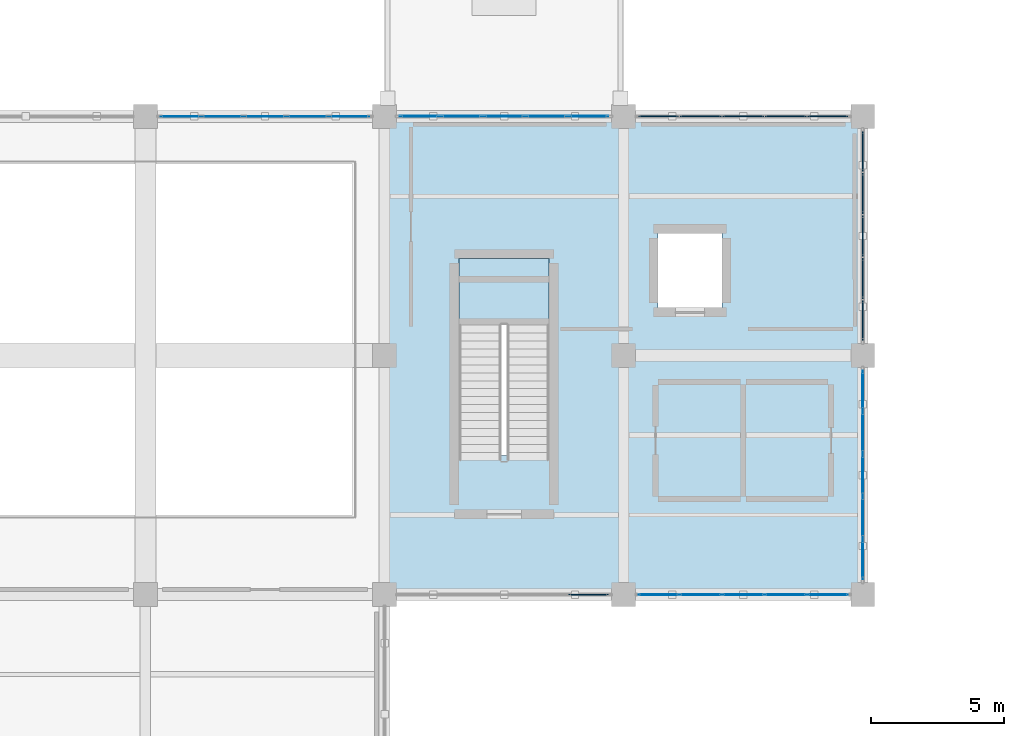
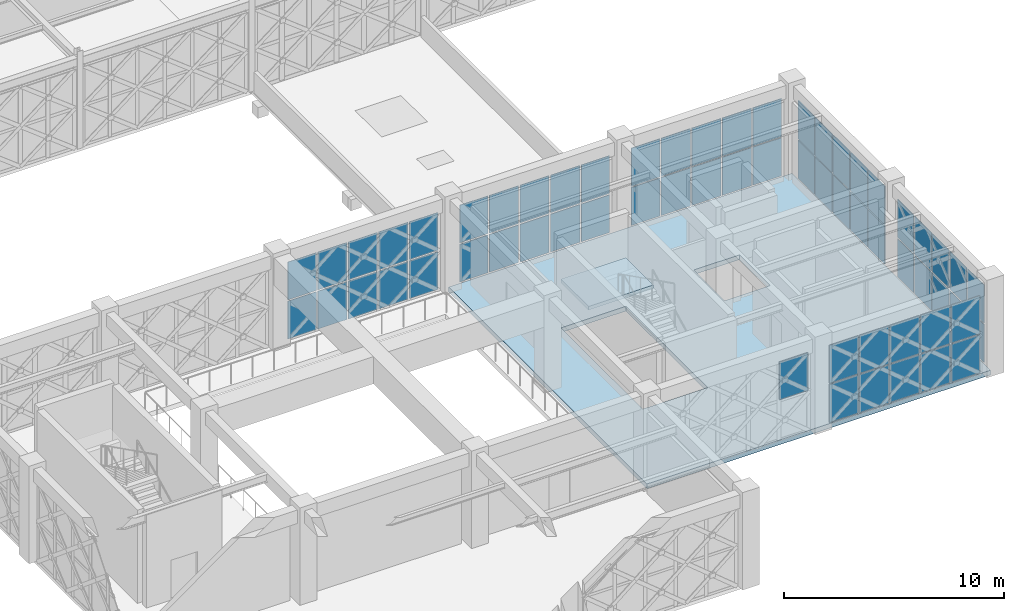
# One storey, part 128 of 155: 61 plates, 2 slabs, 8 elements without a shape of their own.
"""IFC4 building model written with IfcOpenShell, lengths in metres."""

from ifc_helpers import new_model, si_unit, direction, frame, origin, origin_2d, place, context, subcontext, project, spatial, polyline, rectangle, outline, extrude, material, layer, layer_set, type_object, element, aggregate, save


model = new_model("IFC4")

# Units and contexts
model_context = context("Model", 3, precision=1e-05, world=origin(), true_north=direction((0.0, 1.0)))
body_context = subcontext(model_context, "Body", "Model", "MODEL_VIEW")
ifc_project = project(units=[si_unit("LENGTHUNIT", "METRE"), si_unit("AREAUNIT", "SQUARE_METRE"), si_unit("VOLUMEUNIT", "CUBIC_METRE"), si_unit("PLANEANGLEUNIT", "RADIAN"), si_unit("MASSUNIT", "GRAM", prefix="KILO")], contexts=[model_context])

# Site, building, storey
site_placement = place(None, origin())
site = spatial("IfcSite", under=ifc_project, at=site_placement, CompositionType="ELEMENT")
building_placement = place(site_placement, origin())
building = spatial("IfcBuilding", under=site, at=building_placement, Name="Haizhuo Lancet Aquarium", CompositionType="ELEMENT")
storey_placement = place(building_placement, frame((0.0, 0.0, 10.800048828125)))
storey = spatial("IfcBuildingStorey", under=building, at=storey_placement, Name="L02", CompositionType="ELEMENT", Elevation=10.800048828125)

# Curtain wall, plates
ifc_material_1 = material(Name="Aluminium 6063-T6", Category="aluminium")
curtain_wall_type_1 = type_object("IfcCurtainWallType", Name="CWO-8010x4410", PredefinedType="NOTDEFINED", material=ifc_material_1)
curtain_wall_1_placement = place(storey_placement, origin())
curtain_wall_1 = element("IfcCurtainWall", 1, at=curtain_wall_1_placement, inside=storey, type_object=curtain_wall_type_1, Name="L02 curtain wall CW-V3-L02-053", PredefinedType="NOTDEFINED")
ifc_material_2 = material(Name="Laminated Low-E Glass", Category="glass")
ifc_layer_1 = layer(ifc_material_2, 0.028076171875)
ifc_layer_set_1 = layer_set([ifc_layer_1], Name="Laminated Low-E Glass")
plate_type_1 = type_object("IfcPlateType", Name="CW-PNL-1", PredefinedType="CURTAIN_PANEL", material=ifc_layer_set_1)
plate_1_placement = place(storey_placement, frame((46.31494140625, -9.0, 0.07421875), z_axis=(0.0, 0.0, 1.0), x_axis=(1.0, 0.0, 0.0)))
plate_1 = element("IfcPlate", 2, at=plate_1_placement, type_object=plate_type_1, Name="CWO-80x44 panel 1.1", PredefinedType="CURTAIN_PANEL", context=body_context, shape_type="SweptSolid", body=[
    extrude(rectangle(XDim=1.489990234375, YDim=0.028076171875, at=origin_2d()), origin(), (0.0, 0.0, 1.0), 2.093017578125),
])
plate_2_placement = place(storey_placement, frame((46.31494140625, -9.0, 2.24267578125), z_axis=(0.0, 0.0, 1.0), x_axis=(1.0, 0.0, 0.0)))
plate_2 = element("IfcPlate", 3, at=plate_2_placement, type_object=plate_type_1, Name="CWO-80x44 panel 1.2", PredefinedType="CURTAIN_PANEL", context=body_context, shape_type="SweptSolid", body=[
    extrude(rectangle(XDim=1.489990234375, YDim=0.028076171875, at=origin_2d()), origin(), (0.0, 0.0, 1.0), 2.093017578125),
])
plate_3_placement = place(storey_placement, frame((47.89794921875, -9.0, 0.07421875), z_axis=(0.0, 0.0, 1.0), x_axis=(1.0, 0.0, 0.0)))
plate_3 = element("IfcPlate", 4, at=plate_3_placement, type_object=plate_type_1, Name="CWO-80x44 panel 2.1", PredefinedType="CURTAIN_PANEL", context=body_context, shape_type="SweptSolid", body=[
    extrude(rectangle(XDim=1.527099609375, YDim=0.028076171875, at=origin_2d()), origin(), (0.0, 0.0, 1.0), 2.093017578125),
])
plate_4_placement = place(storey_placement, frame((47.89794921875, -9.0, 2.24267578125), z_axis=(0.0, 0.0, 1.0), x_axis=(1.0, 0.0, 0.0)))
plate_4 = element("IfcPlate", 5, at=plate_4_placement, type_object=plate_type_1, Name="CWO-80x44 panel 2.2", PredefinedType="CURTAIN_PANEL", context=body_context, shape_type="SweptSolid", body=[
    extrude(rectangle(XDim=1.527099609375, YDim=0.028076171875, at=origin_2d()), origin(), (0.0, 0.0, 1.0), 2.093017578125),
])
plate_5_placement = place(storey_placement, frame((49.5, -9.0, 0.07421875), z_axis=(0.0, 0.0, 1.0), x_axis=(1.0, 0.0, 0.0)))
plate_5 = element("IfcPlate", 6, at=plate_5_placement, type_object=plate_type_1, Name="CWO-80x44 panel 3.1", PredefinedType="CURTAIN_PANEL", context=body_context, shape_type="SweptSolid", body=[
    extrude(rectangle(XDim=1.527099609375, YDim=0.028076171875, at=origin_2d()), origin(), (0.0, 0.0, 1.0), 2.093017578125),
])
plate_6_placement = place(storey_placement, frame((49.5, -9.0, 2.24267578125), z_axis=(0.0, 0.0, 1.0), x_axis=(1.0, 0.0, 0.0)))
plate_6 = element("IfcPlate", 7, at=plate_6_placement, type_object=plate_type_1, Name="CWO-80x44 panel 3.2", PredefinedType="CURTAIN_PANEL", context=body_context, shape_type="SweptSolid", body=[
    extrude(rectangle(XDim=1.527099609375, YDim=0.028076171875, at=origin_2d()), origin(), (0.0, 0.0, 1.0), 2.093017578125),
])
plate_7_placement = place(storey_placement, frame((51.10205078125, -9.0, 0.07421875), z_axis=(0.0, 0.0, 1.0), x_axis=(1.0, 0.0, 0.0)))
plate_7 = element("IfcPlate", 8, at=plate_7_placement, type_object=plate_type_1, Name="CWO-80x44 panel 4.1", PredefinedType="CURTAIN_PANEL", context=body_context, shape_type="SweptSolid", body=[
    extrude(rectangle(XDim=1.527099609375, YDim=0.028076171875, at=origin_2d()), origin(), (0.0, 0.0, 1.0), 2.093017578125),
])
plate_8_placement = place(storey_placement, frame((51.10205078125, -9.0, 2.24267578125), z_axis=(0.0, 0.0, 1.0), x_axis=(1.0, 0.0, 0.0)))
plate_8 = element("IfcPlate", 9, at=plate_8_placement, type_object=plate_type_1, Name="CWO-80x44 panel 4.2", PredefinedType="CURTAIN_PANEL", context=body_context, shape_type="SweptSolid", body=[
    extrude(rectangle(XDim=1.527099609375, YDim=0.028076171875, at=origin_2d()), origin(), (0.0, 0.0, 1.0), 2.093017578125),
])
plate_9_placement = place(storey_placement, frame((52.68505859375, -9.0, 0.07421875), z_axis=(0.0, 0.0, 1.0), x_axis=(1.0, 0.0, 0.0)))
plate_9 = element("IfcPlate", 10, at=plate_9_placement, type_object=plate_type_1, Name="CWO-80x44 panel 5.1", PredefinedType="CURTAIN_PANEL", context=body_context, shape_type="SweptSolid", body=[
    extrude(rectangle(XDim=1.489990234375, YDim=0.028076171875, at=origin_2d()), origin(), (0.0, 0.0, 1.0), 2.093017578125),
])
plate_10_placement = place(storey_placement, frame((52.68505859375, -9.0, 2.24267578125), z_axis=(0.0, 0.0, 1.0), x_axis=(1.0, 0.0, 0.0)))
plate_10 = element("IfcPlate", 11, at=plate_10_placement, type_object=plate_type_1, Name="CWO-80x44 panel 5.2", PredefinedType="CURTAIN_PANEL", context=body_context, shape_type="SweptSolid", body=[
    extrude(rectangle(XDim=1.489990234375, YDim=0.028076171875, at=origin_2d()), origin(), (0.0, 0.0, 1.0), 2.093017578125),
])
aggregate(curtain_wall_1, [plate_1, plate_2, plate_3, plate_4, plate_5, plate_6, plate_7, plate_8, plate_9, plate_10])

curtain_wall_type_2 = type_object("IfcCurtainWallType", Name="CWO-8010x4460", PredefinedType="NOTDEFINED", material=ifc_material_1)
curtain_wall_2_placement = place(storey_placement, origin())
curtain_wall_2 = element("IfcCurtainWall", 12, at=curtain_wall_2_placement, inside=storey, type_object=curtain_wall_type_2, Name="L02 curtain wall CW-V3-L02-057", PredefinedType="NOTDEFINED")
plate_11_placement = place(storey_placement, frame((72.0, -19.31591796875, 0.080078125), z_axis=(0.0, 0.0, 1.0), x_axis=(0.0, -1.0, 0.0)))
plate_11 = element("IfcPlate", 13, at=plate_11_placement, type_object=plate_type_1, Name="CWO-80x44 panel 1.1", PredefinedType="CURTAIN_PANEL", context=body_context, shape_type="SweptSolid", body=[
    extrude(rectangle(XDim=1.48193359375, YDim=0.028076171875, at=origin_2d()), origin(), (0.0, 0.0, 1.0), 2.110107421875),
])
plate_12_placement = place(storey_placement, frame((72.0, -19.31591796875, 2.27001953125), z_axis=(0.0, 0.0, 1.0), x_axis=(0.0, -1.0, 0.0)))
plate_12 = element("IfcPlate", 14, at=plate_12_placement, type_object=plate_type_1, Name="CWO-80x44 panel 1.2", PredefinedType="CURTAIN_PANEL", context=body_context, shape_type="SweptSolid", body=[
    extrude(rectangle(XDim=1.48193359375, YDim=0.028076171875, at=origin_2d()), origin(), (0.0, 0.0, 1.0), 2.110107421875),
])
plate_13_placement = place(storey_placement, frame((72.0, -20.89794921875, 0.080078125), z_axis=(0.0, 0.0, 1.0), x_axis=(0.0, -1.0, 0.0)))
plate_13 = element("IfcPlate", 15, at=plate_13_placement, type_object=plate_type_1, Name="CWO-80x44 panel 2.1", PredefinedType="CURTAIN_PANEL", context=body_context, shape_type="SweptSolid", body=[
    extrude(rectangle(XDim=1.52197265625, YDim=0.028076171875, at=origin_2d()), origin(), (0.0, 0.0, 1.0), 2.110107421875),
])
plate_14_placement = place(storey_placement, frame((72.0, -20.89794921875, 2.27001953125), z_axis=(0.0, 0.0, 1.0), x_axis=(0.0, -1.0, 0.0)))
plate_14 = element("IfcPlate", 16, at=plate_14_placement, type_object=plate_type_1, Name="CWO-80x44 panel 2.2", PredefinedType="CURTAIN_PANEL", context=body_context, shape_type="SweptSolid", body=[
    extrude(rectangle(XDim=1.52197265625, YDim=0.028076171875, at=origin_2d()), origin(), (0.0, 0.0, 1.0), 2.110107421875),
])
plate_15_placement = place(storey_placement, frame((72.0, -22.5, 0.080078125), z_axis=(0.0, 0.0, 1.0), x_axis=(0.0, -1.0, 0.0)))
plate_15 = element("IfcPlate", 17, at=plate_15_placement, type_object=plate_type_1, Name="CWO-80x44 panel 3.1", PredefinedType="CURTAIN_PANEL", context=body_context, shape_type="SweptSolid", body=[
    extrude(rectangle(XDim=1.52197265625, YDim=0.028076171875, at=origin_2d()), origin(), (0.0, 0.0, 1.0), 2.110107421875),
])
plate_16_placement = place(storey_placement, frame((72.0, -22.5, 2.27001953125), z_axis=(0.0, 0.0, 1.0), x_axis=(0.0, -1.0, 0.0)))
plate_16 = element("IfcPlate", 18, at=plate_16_placement, type_object=plate_type_1, Name="CWO-80x44 panel 3.2", PredefinedType="CURTAIN_PANEL", context=body_context, shape_type="SweptSolid", body=[
    extrude(rectangle(XDim=1.52197265625, YDim=0.028076171875, at=origin_2d()), origin(), (0.0, 0.0, 1.0), 2.110107421875),
])
plate_17_placement = place(storey_placement, frame((72.0, -24.10205078125, 0.080078125), z_axis=(0.0, 0.0, 1.0), x_axis=(0.0, -1.0, 0.0)))
plate_17 = element("IfcPlate", 19, at=plate_17_placement, type_object=plate_type_1, Name="CWO-80x44 panel 4.1", PredefinedType="CURTAIN_PANEL", context=body_context, shape_type="SweptSolid", body=[
    extrude(rectangle(XDim=1.52197265625, YDim=0.028076171875, at=origin_2d()), origin(), (0.0, 0.0, 1.0), 2.110107421875),
])
plate_18_placement = place(storey_placement, frame((72.0, -24.10205078125, 2.27001953125), z_axis=(0.0, 0.0, 1.0), x_axis=(0.0, -1.0, 0.0)))
plate_18 = element("IfcPlate", 20, at=plate_18_placement, type_object=plate_type_1, Name="CWO-80x44 panel 4.2", PredefinedType="CURTAIN_PANEL", context=body_context, shape_type="SweptSolid", body=[
    extrude(rectangle(XDim=1.52197265625, YDim=0.028076171875, at=origin_2d()), origin(), (0.0, 0.0, 1.0), 2.110107421875),
])
plate_19_placement = place(storey_placement, frame((72.0, -25.68408203125, 0.080078125), z_axis=(0.0, 0.0, 1.0), x_axis=(0.0, -1.0, 0.0)))
plate_19 = element("IfcPlate", 21, at=plate_19_placement, type_object=plate_type_1, Name="CWO-80x44 panel 5.1", PredefinedType="CURTAIN_PANEL", context=body_context, shape_type="SweptSolid", body=[
    extrude(rectangle(XDim=1.48193359375, YDim=0.028076171875, at=origin_2d()), origin(), (0.0, 0.0, 1.0), 2.110107421875),
])
plate_20_placement = place(storey_placement, frame((72.0, -25.68408203125, 2.27001953125), z_axis=(0.0, 0.0, 1.0), x_axis=(0.0, -1.0, 0.0)))
plate_20 = element("IfcPlate", 22, at=plate_20_placement, type_object=plate_type_1, Name="CWO-80x44 panel 5.2", PredefinedType="CURTAIN_PANEL", context=body_context, shape_type="SweptSolid", body=[
    extrude(rectangle(XDim=1.48193359375, YDim=0.028076171875, at=origin_2d()), origin(), (0.0, 0.0, 1.0), 2.110107421875),
])
aggregate(curtain_wall_2, [plate_11, plate_12, plate_13, plate_14, plate_15, plate_16, plate_17, plate_18, plate_19, plate_20])

curtain_wall_3_placement = place(storey_placement, origin())
curtain_wall_3 = element("IfcCurtainWall", 23, at=curtain_wall_3_placement, inside=storey, type_object=curtain_wall_type_1, Name="L02 curtain wall CW-V3-L02-054", PredefinedType="NOTDEFINED")
ifc_layer_2 = layer(ifc_material_2, 0.033935546875)
ifc_layer_set_2 = layer_set([ifc_layer_2], Name="Laminated Low-E Glass")
plate_type_2 = type_object("IfcPlateType", Name="CW-PNL-2", PredefinedType="CURTAIN_PANEL", material=ifc_layer_set_2)
plate_21_placement = place(storey_placement, frame((55.31591796875, -9.0, 0.07958984375), z_axis=(0.0, 0.0, 1.0), x_axis=(1.0, 0.0, 0.0)))
plate_21 = element("IfcPlate", 24, at=plate_21_placement, type_object=plate_type_2, Name="CWO-80x44 panel 1.1", PredefinedType="CURTAIN_PANEL", context=body_context, shape_type="SweptSolid", body=[
    extrude(rectangle(XDim=1.48193359375, YDim=0.033935546875, at=origin_2d()), origin(), (0.0, 0.0, 1.0), 2.0849609375),
])
plate_22_placement = place(storey_placement, frame((55.31591796875, -9.0, 2.245361328125), z_axis=(0.0, 0.0, 1.0), x_axis=(1.0, 0.0, 0.0)))
plate_22 = element("IfcPlate", 25, at=plate_22_placement, type_object=plate_type_2, Name="CWO-80x44 panel 1.2", PredefinedType="CURTAIN_PANEL", context=body_context, shape_type="SweptSolid", body=[
    extrude(rectangle(XDim=1.48193359375, YDim=0.033935546875, at=origin_2d()), origin(), (0.0, 0.0, 1.0), 2.0849609375),
])
plate_23_placement = place(storey_placement, frame((56.89794921875, -9.0, 0.07958984375), z_axis=(0.0, 0.0, 1.0), x_axis=(1.0, 0.0, 0.0)))
plate_23 = element("IfcPlate", 26, at=plate_23_placement, type_object=plate_type_2, Name="CWO-80x44 panel 2.1", PredefinedType="CURTAIN_PANEL", context=body_context, shape_type="SweptSolid", body=[
    extrude(rectangle(XDim=1.52197265625, YDim=0.033935546875, at=origin_2d()), origin(), (0.0, 0.0, 1.0), 2.0849609375),
])
plate_24_placement = place(storey_placement, frame((56.89794921875, -9.0, 2.245361328125), z_axis=(0.0, 0.0, 1.0), x_axis=(1.0, 0.0, 0.0)))
plate_24 = element("IfcPlate", 27, at=plate_24_placement, type_object=plate_type_2, Name="CWO-80x44 panel 2.2", PredefinedType="CURTAIN_PANEL", context=body_context, shape_type="SweptSolid", body=[
    extrude(rectangle(XDim=1.52197265625, YDim=0.033935546875, at=origin_2d()), origin(), (0.0, 0.0, 1.0), 2.0849609375),
])
plate_25_placement = place(storey_placement, frame((58.5, -9.0, 0.07958984375), z_axis=(0.0, 0.0, 1.0), x_axis=(1.0, 0.0, 0.0)))
plate_25 = element("IfcPlate", 28, at=plate_25_placement, type_object=plate_type_2, Name="CWO-80x44 panel 3.1", PredefinedType="CURTAIN_PANEL", context=body_context, shape_type="SweptSolid", body=[
    extrude(rectangle(XDim=1.52197265625, YDim=0.033935546875, at=origin_2d()), origin(), (0.0, 0.0, 1.0), 2.0849609375),
])
plate_26_placement = place(storey_placement, frame((58.5, -9.0, 2.245361328125), z_axis=(0.0, 0.0, 1.0), x_axis=(1.0, 0.0, 0.0)))
plate_26 = element("IfcPlate", 29, at=plate_26_placement, type_object=plate_type_2, Name="CWO-80x44 panel 3.2", PredefinedType="CURTAIN_PANEL", context=body_context, shape_type="SweptSolid", body=[
    extrude(rectangle(XDim=1.52197265625, YDim=0.033935546875, at=origin_2d()), origin(), (0.0, 0.0, 1.0), 2.0849609375),
])
plate_27_placement = place(storey_placement, frame((60.10205078125, -9.0, 0.07958984375), z_axis=(0.0, 0.0, 1.0), x_axis=(1.0, 0.0, 0.0)))
plate_27 = element("IfcPlate", 30, at=plate_27_placement, type_object=plate_type_2, Name="CWO-80x44 panel 4.1", PredefinedType="CURTAIN_PANEL", context=body_context, shape_type="SweptSolid", body=[
    extrude(rectangle(XDim=1.52197265625, YDim=0.033935546875, at=origin_2d()), origin(), (0.0, 0.0, 1.0), 2.0849609375),
])
plate_28_placement = place(storey_placement, frame((60.10205078125, -9.0, 2.245361328125), z_axis=(0.0, 0.0, 1.0), x_axis=(1.0, 0.0, 0.0)))
plate_28 = element("IfcPlate", 31, at=plate_28_placement, type_object=plate_type_2, Name="CWO-80x44 panel 4.2", PredefinedType="CURTAIN_PANEL", context=body_context, shape_type="SweptSolid", body=[
    extrude(rectangle(XDim=1.52197265625, YDim=0.033935546875, at=origin_2d()), origin(), (0.0, 0.0, 1.0), 2.0849609375),
])
plate_29_placement = place(storey_placement, frame((61.68408203125, -9.0, 0.07958984375), z_axis=(0.0, 0.0, 1.0), x_axis=(1.0, 0.0, 0.0)))
plate_29 = element("IfcPlate", 32, at=plate_29_placement, type_object=plate_type_2, Name="CWO-80x44 panel 5.1", PredefinedType="CURTAIN_PANEL", context=body_context, shape_type="SweptSolid", body=[
    extrude(rectangle(XDim=1.48193359375, YDim=0.033935546875, at=origin_2d()), origin(), (0.0, 0.0, 1.0), 2.0849609375),
])
plate_30_placement = place(storey_placement, frame((61.68408203125, -9.0, 2.245361328125), z_axis=(0.0, 0.0, 1.0), x_axis=(1.0, 0.0, 0.0)))
plate_30 = element("IfcPlate", 33, at=plate_30_placement, type_object=plate_type_2, Name="CWO-80x44 panel 5.2", PredefinedType="CURTAIN_PANEL", context=body_context, shape_type="SweptSolid", body=[
    extrude(rectangle(XDim=1.48193359375, YDim=0.033935546875, at=origin_2d()), origin(), (0.0, 0.0, 1.0), 2.0849609375),
])
aggregate(curtain_wall_3, [plate_21, plate_22, plate_23, plate_24, plate_25, plate_26, plate_27, plate_28, plate_29, plate_30])

curtain_wall_4_placement = place(storey_placement, origin())
curtain_wall_4 = element("IfcCurtainWall", 34, at=curtain_wall_4_placement, inside=storey, type_object=curtain_wall_type_1, Name="L02 curtain wall CW-V3-L02-058", PredefinedType="NOTDEFINED")
plate_31_placement = place(storey_placement, frame((70.68798828125, -27.0, 0.0654296875), z_axis=(0.0, 0.0, 1.0), x_axis=(-1.0, 0.0, 0.0)))
plate_31 = element("IfcPlate", 35, at=plate_31_placement, type_object=plate_type_2, Name="CWO-80x44 panel 1.1", PredefinedType="CURTAIN_PANEL", context=body_context, shape_type="SweptSolid", body=[
    extrude(rectangle(XDim=1.50390625, YDim=0.033935546875, at=origin_2d()), origin(), (0.0, 0.0, 1.0), 2.10693359375),
])
plate_32_placement = place(storey_placement, frame((70.68798828125, -27.0, 2.237548828125), z_axis=(0.0, 0.0, 1.0), x_axis=(-1.0, 0.0, 0.0)))
plate_32 = element("IfcPlate", 36, at=plate_32_placement, type_object=plate_type_2, Name="CWO-80x44 panel 1.2", PredefinedType="CURTAIN_PANEL", context=body_context, shape_type="SweptSolid", body=[
    extrude(rectangle(XDim=1.50390625, YDim=0.033935546875, at=origin_2d()), origin(), (0.0, 0.0, 1.0), 2.10693359375),
])
plate_33_placement = place(storey_placement, frame((69.10205078125, -27.0, 0.0654296875), z_axis=(0.0, 0.0, 1.0), x_axis=(-1.0, 0.0, 0.0)))
plate_33 = element("IfcPlate", 37, at=plate_33_placement, type_object=plate_type_2, Name="CWO-80x44 panel 2.1", PredefinedType="CURTAIN_PANEL", context=body_context, shape_type="SweptSolid", body=[
    extrude(rectangle(XDim=1.537109375, YDim=0.033935546875, at=origin_2d()), origin(), (0.0, 0.0, 1.0), 2.10693359375),
])
plate_34_placement = place(storey_placement, frame((69.10205078125, -27.0, 2.237548828125), z_axis=(0.0, 0.0, 1.0), x_axis=(-1.0, 0.0, 0.0)))
plate_34 = element("IfcPlate", 38, at=plate_34_placement, type_object=plate_type_2, Name="CWO-80x44 panel 2.2", PredefinedType="CURTAIN_PANEL", context=body_context, shape_type="SweptSolid", body=[
    extrude(rectangle(XDim=1.537109375, YDim=0.033935546875, at=origin_2d()), origin(), (0.0, 0.0, 1.0), 2.10693359375),
])
plate_35_placement = place(storey_placement, frame((67.5, -27.0, 0.0654296875), z_axis=(0.0, 0.0, 1.0), x_axis=(-1.0, 0.0, 0.0)))
plate_35 = element("IfcPlate", 39, at=plate_35_placement, type_object=plate_type_2, Name="CWO-80x44 panel 3.1", PredefinedType="CURTAIN_PANEL", context=body_context, shape_type="SweptSolid", body=[
    extrude(rectangle(XDim=1.537109375, YDim=0.033935546875, at=origin_2d()), origin(), (0.0, 0.0, 1.0), 2.10693359375),
])
plate_36_placement = place(storey_placement, frame((67.5, -27.0, 2.237548828125), z_axis=(0.0, 0.0, 1.0), x_axis=(-1.0, 0.0, 0.0)))
plate_36 = element("IfcPlate", 40, at=plate_36_placement, type_object=plate_type_2, Name="CWO-80x44 panel 3.2", PredefinedType="CURTAIN_PANEL", context=body_context, shape_type="SweptSolid", body=[
    extrude(rectangle(XDim=1.537109375, YDim=0.033935546875, at=origin_2d()), origin(), (0.0, 0.0, 1.0), 2.10693359375),
])
plate_37_placement = place(storey_placement, frame((65.89794921875, -27.0, 0.0654296875), z_axis=(0.0, 0.0, 1.0), x_axis=(-1.0, 0.0, 0.0)))
plate_37 = element("IfcPlate", 41, at=plate_37_placement, type_object=plate_type_2, Name="CWO-80x44 panel 4.1", PredefinedType="CURTAIN_PANEL", context=body_context, shape_type="SweptSolid", body=[
    extrude(rectangle(XDim=1.537109375, YDim=0.033935546875, at=origin_2d()), origin(), (0.0, 0.0, 1.0), 2.10693359375),
])
plate_38_placement = place(storey_placement, frame((65.89794921875, -27.0, 2.237548828125), z_axis=(0.0, 0.0, 1.0), x_axis=(-1.0, 0.0, 0.0)))
plate_38 = element("IfcPlate", 42, at=plate_38_placement, type_object=plate_type_2, Name="CWO-80x44 panel 4.2", PredefinedType="CURTAIN_PANEL", context=body_context, shape_type="SweptSolid", body=[
    extrude(rectangle(XDim=1.537109375, YDim=0.033935546875, at=origin_2d()), origin(), (0.0, 0.0, 1.0), 2.10693359375),
])
plate_39_placement = place(storey_placement, frame((64.31201171875, -27.0, 0.0654296875), z_axis=(0.0, 0.0, 1.0), x_axis=(-1.0, 0.0, 0.0)))
plate_39 = element("IfcPlate", 43, at=plate_39_placement, type_object=plate_type_2, Name="CWO-80x44 panel 5.1", PredefinedType="CURTAIN_PANEL", context=body_context, shape_type="SweptSolid", body=[
    extrude(rectangle(XDim=1.5048828125, YDim=0.033935546875, at=origin_2d()), origin(), (0.0, 0.0, 1.0), 2.10693359375),
])
plate_40_placement = place(storey_placement, frame((64.31201171875, -27.0, 2.237548828125), z_axis=(0.0, 0.0, 1.0), x_axis=(-1.0, 0.0, 0.0)))
plate_40 = element("IfcPlate", 44, at=plate_40_placement, type_object=plate_type_2, Name="CWO-80x44 panel 5.2", PredefinedType="CURTAIN_PANEL", context=body_context, shape_type="SweptSolid", body=[
    extrude(rectangle(XDim=1.5048828125, YDim=0.033935546875, at=origin_2d()), origin(), (0.0, 0.0, 1.0), 2.10693359375),
])
aggregate(curtain_wall_4, [plate_31, plate_32, plate_33, plate_34, plate_35, plate_36, plate_37, plate_38, plate_39, plate_40])

curtain_wall_5_placement = place(storey_placement, origin())
curtain_wall_5 = element("IfcCurtainWall", 45, at=curtain_wall_5_placement, inside=storey, type_object=curtain_wall_type_1, Name="L02 curtain wall CW-V3-L02-055", PredefinedType="NOTDEFINED")
ifc_layer_3 = layer(ifc_material_2, 0.0419921875)
ifc_layer_set_3 = layer_set([ifc_layer_3], Name="Laminated Low-E Glass")
plate_type_3 = type_object("IfcPlateType", Name="CW-PNL-3", PredefinedType="CURTAIN_PANEL", material=ifc_layer_set_3)
plate_41_placement = place(storey_placement, frame((64.31201171875, -9.0, 0.0654296875), z_axis=(0.0, 0.0, 1.0), x_axis=(1.0, 0.0, 0.0)))
plate_41 = element("IfcPlate", 46, at=plate_41_placement, type_object=plate_type_3, Name="CWO-80x44 panel 1.1", PredefinedType="CURTAIN_PANEL", context=body_context, shape_type="SweptSolid", body=[
    extrude(rectangle(XDim=1.50390625, YDim=0.0419921875, at=origin_2d()), origin(), (0.0, 0.0, 1.0), 2.10693359375),
])
plate_42_placement = place(storey_placement, frame((64.31201171875, -9.0, 2.237548828125), z_axis=(0.0, 0.0, 1.0), x_axis=(1.0, 0.0, 0.0)))
plate_42 = element("IfcPlate", 47, at=plate_42_placement, type_object=plate_type_3, Name="CWO-80x44 panel 1.2", PredefinedType="CURTAIN_PANEL", context=body_context, shape_type="SweptSolid", body=[
    extrude(rectangle(XDim=1.50390625, YDim=0.0419921875, at=origin_2d()), origin(), (0.0, 0.0, 1.0), 2.10693359375),
])
plate_43_placement = place(storey_placement, frame((65.89794921875, -9.0, 0.0654296875), z_axis=(0.0, 0.0, 1.0), x_axis=(1.0, 0.0, 0.0)))
plate_43 = element("IfcPlate", 48, at=plate_43_placement, type_object=plate_type_3, Name="CWO-80x44 panel 2.1", PredefinedType="CURTAIN_PANEL", context=body_context, shape_type="SweptSolid", body=[
    extrude(rectangle(XDim=1.537109375, YDim=0.0419921875, at=origin_2d()), origin(), (0.0, 0.0, 1.0), 2.10693359375),
])
plate_44_placement = place(storey_placement, frame((65.89794921875, -9.0, 2.237548828125), z_axis=(0.0, 0.0, 1.0), x_axis=(1.0, 0.0, 0.0)))
plate_44 = element("IfcPlate", 49, at=plate_44_placement, type_object=plate_type_3, Name="CWO-80x44 panel 2.2", PredefinedType="CURTAIN_PANEL", context=body_context, shape_type="SweptSolid", body=[
    extrude(rectangle(XDim=1.537109375, YDim=0.0419921875, at=origin_2d()), origin(), (0.0, 0.0, 1.0), 2.10693359375),
])
plate_45_placement = place(storey_placement, frame((67.5, -9.0, 0.0654296875), z_axis=(0.0, 0.0, 1.0), x_axis=(1.0, 0.0, 0.0)))
plate_45 = element("IfcPlate", 50, at=plate_45_placement, type_object=plate_type_3, Name="CWO-80x44 panel 3.1", PredefinedType="CURTAIN_PANEL", context=body_context, shape_type="SweptSolid", body=[
    extrude(rectangle(XDim=1.537109375, YDim=0.0419921875, at=origin_2d()), origin(), (0.0, 0.0, 1.0), 2.10693359375),
])
plate_46_placement = place(storey_placement, frame((67.5, -9.0, 2.237548828125), z_axis=(0.0, 0.0, 1.0), x_axis=(1.0, 0.0, 0.0)))
plate_46 = element("IfcPlate", 51, at=plate_46_placement, type_object=plate_type_3, Name="CWO-80x44 panel 3.2", PredefinedType="CURTAIN_PANEL", context=body_context, shape_type="SweptSolid", body=[
    extrude(rectangle(XDim=1.537109375, YDim=0.0419921875, at=origin_2d()), origin(), (0.0, 0.0, 1.0), 2.10693359375),
])
plate_47_placement = place(storey_placement, frame((69.10205078125, -9.0, 0.0654296875), z_axis=(0.0, 0.0, 1.0), x_axis=(1.0, 0.0, 0.0)))
plate_47 = element("IfcPlate", 52, at=plate_47_placement, type_object=plate_type_3, Name="CWO-80x44 panel 4.1", PredefinedType="CURTAIN_PANEL", context=body_context, shape_type="SweptSolid", body=[
    extrude(rectangle(XDim=1.537109375, YDim=0.0419921875, at=origin_2d()), origin(), (0.0, 0.0, 1.0), 2.10693359375),
])
plate_48_placement = place(storey_placement, frame((69.10205078125, -9.0, 2.237548828125), z_axis=(0.0, 0.0, 1.0), x_axis=(1.0, 0.0, 0.0)))
plate_48 = element("IfcPlate", 53, at=plate_48_placement, type_object=plate_type_3, Name="CWO-80x44 panel 4.2", PredefinedType="CURTAIN_PANEL", context=body_context, shape_type="SweptSolid", body=[
    extrude(rectangle(XDim=1.537109375, YDim=0.0419921875, at=origin_2d()), origin(), (0.0, 0.0, 1.0), 2.10693359375),
])
plate_49_placement = place(storey_placement, frame((70.68798828125, -9.0, 0.0654296875), z_axis=(0.0, 0.0, 1.0), x_axis=(1.0, 0.0, 0.0)))
plate_49 = element("IfcPlate", 54, at=plate_49_placement, type_object=plate_type_3, Name="CWO-80x44 panel 5.1", PredefinedType="CURTAIN_PANEL", context=body_context, shape_type="SweptSolid", body=[
    extrude(rectangle(XDim=1.5048828125, YDim=0.0419921875, at=origin_2d()), origin(), (0.0, 0.0, 1.0), 2.10693359375),
])
plate_50_placement = place(storey_placement, frame((70.68798828125, -9.0, 2.237548828125), z_axis=(0.0, 0.0, 1.0), x_axis=(1.0, 0.0, 0.0)))
plate_50 = element("IfcPlate", 55, at=plate_50_placement, type_object=plate_type_3, Name="CWO-80x44 panel 5.2", PredefinedType="CURTAIN_PANEL", context=body_context, shape_type="SweptSolid", body=[
    extrude(rectangle(XDim=1.5048828125, YDim=0.0419921875, at=origin_2d()), origin(), (0.0, 0.0, 1.0), 2.10693359375),
])
aggregate(curtain_wall_5, [plate_41, plate_42, plate_43, plate_44, plate_45, plate_46, plate_47, plate_48, plate_49, plate_50])

# Curtain wall, plate
curtain_wall_6_placement = place(storey_placement, origin())
curtain_wall_6 = element("IfcCurtainWall", 56, at=curtain_wall_6_placement, inside=storey, type_object=curtain_wall_type_1, Name="L02 curtain wall CW-V3-L02-059", PredefinedType="NOTDEFINED")
plate_51_placement = place(storey_placement, frame((61.68505859375, -27.0, 2.24267578125), z_axis=(0.0, 0.0, 1.0), x_axis=(-1.0, 0.0, 0.0)))
plate_51 = element("IfcPlate", 57, at=plate_51_placement, type_object=plate_type_3, Name="CWO-80x44 panel 1.2", PredefinedType="CURTAIN_PANEL", context=body_context, shape_type="SweptSolid", body=[
    extrude(rectangle(XDim=1.489990234375, YDim=0.0419921875, at=origin_2d()), origin(), (0.0, 0.0, 1.0), 2.093017578125),
])
aggregate(curtain_wall_6, [plate_51])

# Curtain wall, plates
curtain_wall_7_placement = place(storey_placement, origin())
curtain_wall_7 = element("IfcCurtainWall", 58, at=curtain_wall_7_placement, inside=storey, type_object=curtain_wall_type_2, Name="L02 curtain wall CW-V3-L02-056", PredefinedType="NOTDEFINED")
ifc_layer_4 = layer(ifc_material_2, 0.052001953125)
ifc_layer_set_4 = layer_set([ifc_layer_4], Name="Laminated Low-E Glass")
plate_type_4 = type_object("IfcPlateType", Name="CW-PNL-4", PredefinedType="CURTAIN_PANEL", material=ifc_layer_set_4)
plate_52_placement = place(storey_placement, frame((72.0, -10.31494140625, 0.07568359375), z_axis=(0.0, 0.0, 1.0), x_axis=(0.0, -1.0, 0.0)))
plate_52 = element("IfcPlate", 59, at=plate_52_placement, type_object=plate_type_4, Name="CWO-80x44 panel 1.1", PredefinedType="CURTAIN_PANEL", context=body_context, shape_type="SweptSolid", body=[
    extrude(rectangle(XDim=1.489013671875, YDim=0.052001953125, at=origin_2d()), origin(), (0.0, 0.0, 1.0), 2.116943359375),
])
plate_53_placement = place(storey_placement, frame((72.0, -10.31494140625, 2.26708984375), z_axis=(0.0, 0.0, 1.0), x_axis=(0.0, -1.0, 0.0)))
plate_53 = element("IfcPlate", 60, at=plate_53_placement, type_object=plate_type_4, Name="CWO-80x44 panel 1.2", PredefinedType="CURTAIN_PANEL", context=body_context, shape_type="SweptSolid", body=[
    extrude(rectangle(XDim=1.489013671875, YDim=0.052001953125, at=origin_2d()), origin(), (0.0, 0.0, 1.0), 2.117919921875),
])
plate_54_placement = place(storey_placement, frame((72.0, -11.89794921875, 0.07568359375), z_axis=(0.0, 0.0, 1.0), x_axis=(0.0, -1.0, 0.0)))
plate_54 = element("IfcPlate", 61, at=plate_54_placement, type_object=plate_type_4, Name="CWO-80x44 panel 2.1", PredefinedType="CURTAIN_PANEL", context=body_context, shape_type="SweptSolid", body=[
    extrude(rectangle(XDim=1.527099609375, YDim=0.052001953125, at=origin_2d()), origin(), (0.0, 0.0, 1.0), 2.116943359375),
])
plate_55_placement = place(storey_placement, frame((72.0, -11.89794921875, 2.26708984375), z_axis=(0.0, 0.0, 1.0), x_axis=(0.0, -1.0, 0.0)))
plate_55 = element("IfcPlate", 62, at=plate_55_placement, type_object=plate_type_4, Name="CWO-80x44 panel 2.2", PredefinedType="CURTAIN_PANEL", context=body_context, shape_type="SweptSolid", body=[
    extrude(rectangle(XDim=1.527099609375, YDim=0.052001953125, at=origin_2d()), origin(), (0.0, 0.0, 1.0), 2.117919921875),
])
plate_56_placement = place(storey_placement, frame((72.0, -13.5, 0.07568359375), z_axis=(0.0, 0.0, 1.0), x_axis=(0.0, -1.0, 0.0)))
plate_56 = element("IfcPlate", 63, at=plate_56_placement, type_object=plate_type_4, Name="CWO-80x44 panel 3.1", PredefinedType="CURTAIN_PANEL", context=body_context, shape_type="SweptSolid", body=[
    extrude(rectangle(XDim=1.527099609375, YDim=0.052001953125, at=origin_2d()), origin(), (0.0, 0.0, 1.0), 2.116943359375),
])
plate_57_placement = place(storey_placement, frame((72.0, -13.5, 2.26708984375), z_axis=(0.0, 0.0, 1.0), x_axis=(0.0, -1.0, 0.0)))
plate_57 = element("IfcPlate", 64, at=plate_57_placement, type_object=plate_type_4, Name="CWO-80x44 panel 3.2", PredefinedType="CURTAIN_PANEL", context=body_context, shape_type="SweptSolid", body=[
    extrude(rectangle(XDim=1.527099609375, YDim=0.052001953125, at=origin_2d()), origin(), (0.0, 0.0, 1.0), 2.117919921875),
])
plate_58_placement = place(storey_placement, frame((72.0, -15.10205078125, 0.07568359375), z_axis=(0.0, 0.0, 1.0), x_axis=(0.0, -1.0, 0.0)))
plate_58 = element("IfcPlate", 65, at=plate_58_placement, type_object=plate_type_4, Name="CWO-80x44 panel 4.1", PredefinedType="CURTAIN_PANEL", context=body_context, shape_type="SweptSolid", body=[
    extrude(rectangle(XDim=1.527099609375, YDim=0.052001953125, at=origin_2d()), origin(), (0.0, 0.0, 1.0), 2.116943359375),
])
plate_59_placement = place(storey_placement, frame((72.0, -15.10205078125, 2.26708984375), z_axis=(0.0, 0.0, 1.0), x_axis=(0.0, -1.0, 0.0)))
plate_59 = element("IfcPlate", 66, at=plate_59_placement, type_object=plate_type_4, Name="CWO-80x44 panel 4.2", PredefinedType="CURTAIN_PANEL", context=body_context, shape_type="SweptSolid", body=[
    extrude(rectangle(XDim=1.527099609375, YDim=0.052001953125, at=origin_2d()), origin(), (0.0, 0.0, 1.0), 2.117919921875),
])
plate_60_placement = place(storey_placement, frame((72.0, -16.68505859375, 0.07568359375), z_axis=(0.0, 0.0, 1.0), x_axis=(0.0, -1.0, 0.0)))
plate_60 = element("IfcPlate", 67, at=plate_60_placement, type_object=plate_type_4, Name="CWO-80x44 panel 5.1", PredefinedType="CURTAIN_PANEL", context=body_context, shape_type="SweptSolid", body=[
    extrude(rectangle(XDim=1.489990234375, YDim=0.052001953125, at=origin_2d()), origin(), (0.0, 0.0, 1.0), 2.116943359375),
])
plate_61_placement = place(storey_placement, frame((72.0, -16.68505859375, 2.26708984375), z_axis=(0.0, 0.0, 1.0), x_axis=(0.0, -1.0, 0.0)))
plate_61 = element("IfcPlate", 68, at=plate_61_placement, type_object=plate_type_4, Name="CWO-80x44 panel 5.2", PredefinedType="CURTAIN_PANEL", context=body_context, shape_type="SweptSolid", body=[
    extrude(rectangle(XDim=1.489990234375, YDim=0.052001953125, at=origin_2d()), origin(), (0.0, 0.0, 1.0), 2.117919921875),
])
aggregate(curtain_wall_7, [plate_52, plate_53, plate_54, plate_55, plate_56, plate_57, plate_58, plate_59, plate_60, plate_61])

# Stair, slab
ifc_material_3 = material(Name="Concrete C40/50", Category="concrete")
stair_type = type_object("IfcStairType", Name="STR-HT-1600-54", PredefinedType="HALF_TURN_STAIR", material=ifc_material_3)
stair_placement = place(storey_placement, origin())
stair = element("IfcStair", 69, at=stair_placement, inside=storey, type_object=stair_type, Name="L02 enclosed exit stair ST-05", PredefinedType="HALF_TURN_STAIR")
ifc_layer_5 = layer(ifc_material_3, 0.199951171875)
ifc_layer_set_5 = layer_set([ifc_layer_5], Name="Concrete C40/50")
slab_type_1 = type_object("IfcSlabType", Name="SLB-LND-1600", PredefinedType="LANDING", material=ifc_layer_set_5)
slab_1_placement = place(storey_placement, frame((0.0, 0.0, 2.5)))
slab_1 = element("IfcSlab", 70, at=slab_1_placement, type_object=slab_type_1, Name="ST-15 landing 1", PredefinedType="LANDING", context=body_context, shape_type="SweptSolid", body=[
    extrude(outline(polyline([(60.199951171875, -16.85009765625), (60.199951171875, -14.35009765625), (56.800048828125, -14.35009765625), (56.800048828125, -16.85009765625), (60.199951171875, -16.85009765625)])), origin(), (0.0, 0.0, 1.0), 0.199951171875),
])
aggregate(stair, [slab_1])

# Slab
ifc_layer_6 = layer(ifc_material_3, 0.260009765625)
ifc_layer_set_6 = layer_set([ifc_layer_6], Name="Concrete C40/50")
slab_type_2 = type_object("IfcSlabType", Name="SLB-UPPER-260", PredefinedType="FLOOR", material=ifc_layer_set_6)
slab_2_placement = place(storey_placement, frame((0.0, 0.0, -0.260009765625)))
element("IfcSlab", 71, at=slab_2_placement, inside=storey, type_object=slab_type_2, Name="L02 structural slab SL-L02-V3-02", PredefinedType="FLOOR", context=body_context, shape_type="SweptSolid", body=[
    extrude(outline(polyline([(54.0, -9.0), (54.0, -27.0), (72.0, -27.0), (72.0, -9.0), (54.0, -9.0)]), holes=[polyline([(56.800048828125, -14.35009765625), (56.800048828125, -21.77001953125), (60.199951171875, -21.77001953125), (60.199951171875, -14.35009765625), (56.800048828125, -14.35009765625)]), polyline([(66.699951171875, -16.199951171875), (66.699951171875, -13.39990234375), (64.300048828125, -13.39990234375), (64.300048828125, -16.199951171875), (66.699951171875, -16.199951171875)])]), origin(), (0.0, 0.0, 1.0), 0.260009765625),
])

save(model, "model.ifc")
